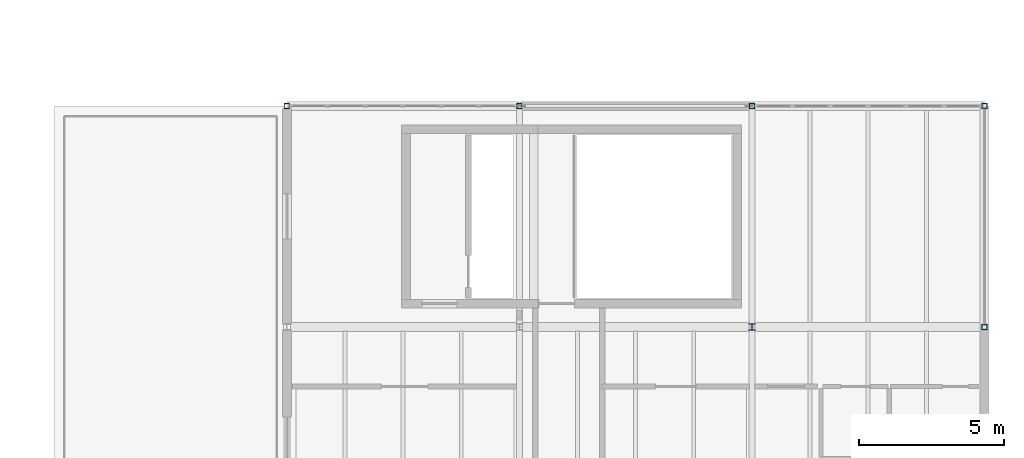
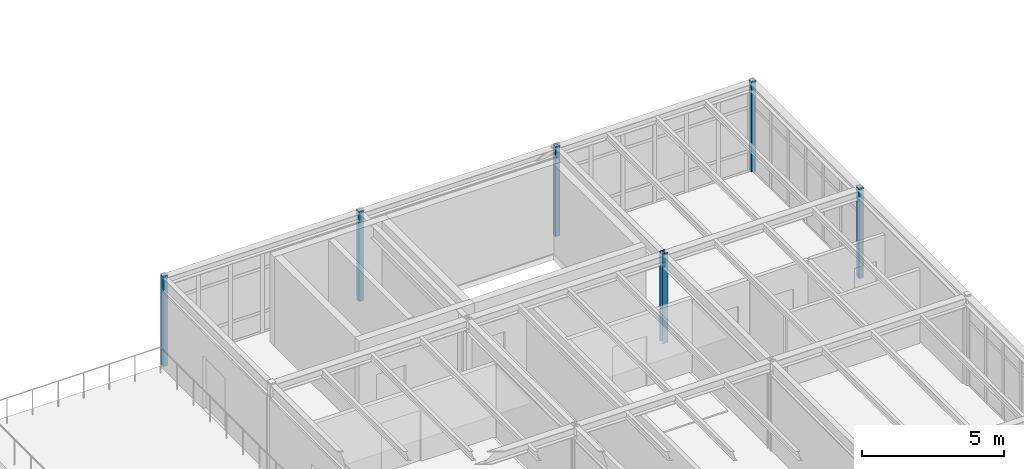
# One storey, part 11 of 65: 6 columns.
"""IFC4 building model written with IfcOpenShell, lengths in metres."""

import ifcopenshell
import ifcopenshell.guid

model = None  # the IFC model being written
_history = None  # IfcOwnerHistory: only IFC2X3 demands one
_inside = {}  # id of a spatial element -> (the spatial element, [elements in it])
_under = {}  # id of a project, library or spatial element -> (it, [spatial elements below it])
_declared = {}  # id of a project -> (the project, [libraries it declares])
_typed = {}  # id of a type object -> (the type object, [elements of that type])
_made_of = {}  # id of a material, layer set ... -> (it, [elements and type objects made of it])


def new_model(schema):
    """Start an empty IFC model of exactly this schema.

    Asked for "IFC4X3", IfcOpenShell would pick the latest addendum, in which some entities
    have other attributes; the version numbers below select the first issue.
    IFC2X3 requires an IfcOwnerHistory on every rooted entity: one is made here for all.
    """
    global model, _history
    if schema == "IFC4X3":
        model = ifcopenshell.file(schema_version=(4, 3, 0, 0))
    else:
        model = ifcopenshell.file(schema=schema)
    _inside.clear()
    _under.clear()
    _declared.clear()
    _typed.clear()
    _made_of.clear()
    _history = None
    if model.schema == "IFC2X3":
        org = make("IfcOrganization", Name="unknown")
        user = make(
            "IfcPersonAndOrganization",
            ThePerson=make("IfcPerson", FamilyName="unknown"),
            TheOrganization=org,
        )
        app = make(
            "IfcApplication",
            ApplicationDeveloper=org,
            Version="unknown",
            ApplicationFullName="unknown",
            ApplicationIdentifier="unknown",
        )
        _history = make(
            "IfcOwnerHistory",
            OwningUser=user,
            OwningApplication=app,
            ChangeAction="ADDED",
            CreationDate=0,
        )
    return model


def make(cls, **values):
    """One entity of the class cls with the attributes given. An attribute that is None is left unset."""
    return model.create_entity(
        cls, **{name: value for name, value in values.items() if value is not None}
    )


def rooted(cls, **values):
    """An entity with a GlobalId (a new one), such as an element, a storey or a relation."""
    return make(cls, GlobalId=ifcopenshell.guid.new(), OwnerHistory=_history, **values)


def si_unit(unit_type, name, prefix=None):
    """IfcSIUnit, for example si_unit("LENGTHUNIT", "METRE", prefix="MILLI")."""
    return make("IfcSIUnit", UnitType=unit_type, Prefix=prefix, Name=name)


def assignment(units):
    """IfcUnitAssignment: the units of a project."""
    return None if units is None else make("IfcUnitAssignment", Units=units)


def point(xyz):
    """IfcCartesianPoint."""
    return None if xyz is None else make("IfcCartesianPoint", Coordinates=xyz)


def direction(xyz):
    """IfcDirection."""
    return None if xyz is None else make("IfcDirection", DirectionRatios=xyz)


def frame(location, z_axis=None, x_axis=None):
    """IfcAxis2Placement3D, a coordinate frame: its origin and axes. An axis left out is left unset."""
    return make(
        "IfcAxis2Placement3D",
        Location=point(location),
        Axis=direction(z_axis),
        RefDirection=direction(x_axis),
    )


def frame_2d(location, x_axis=None):
    """IfcAxis2Placement2D, a coordinate frame in the plane: its origin and x axis."""
    return make(
        "IfcAxis2Placement2D", Location=point(location), RefDirection=direction(x_axis)
    )


def origin():
    """The frame at (0, 0, 0) with its axes left unset."""
    return frame((0.0, 0.0, 0.0))


def origin_2d():
    """The frame at (0, 0) in the plane with its x axis left unset."""
    return frame_2d((0.0, 0.0))


def place(relative_to, where):
    """IfcLocalPlacement: puts the frame where relative to a parent placement (None: the world)."""
    return make(
        "IfcLocalPlacement", PlacementRelTo=relative_to, RelativePlacement=where
    )


def context(
    kind, dimensions, precision=None, world=None, true_north=None, identifier=None
):
    """IfcGeometricRepresentationContext, for example the 3D "Model" context."""
    return make(
        "IfcGeometricRepresentationContext",
        ContextIdentifier=identifier,
        ContextType=kind,
        CoordinateSpaceDimension=dimensions,
        Precision=precision,
        WorldCoordinateSystem=world,
        TrueNorth=true_north,
    )


def subcontext(parent, identifier, kind, view, scale=None):
    """IfcGeometricRepresentationSubContext, for example "Body" below "Model"."""
    return make(
        "IfcGeometricRepresentationSubContext",
        ContextIdentifier=identifier,
        ContextType=kind,
        ParentContext=parent,
        TargetScale=scale,
        TargetView=view,
    )


def project(units=None, contexts=None):
    """IfcProject with its units and contexts."""
    return rooted(
        "IfcProject",
        Name="project",
        RepresentationContexts=contexts,
        UnitsInContext=assignment(units),
    )


def spatial(cls, under=None, at=None, **own):
    """A site, building, storey or space (cls), placed at a placement, below another one or the project."""
    s = rooted(cls, ObjectPlacement=at, **own)
    if under is not None:
        _under.setdefault(under.id(), (under, []))[1].append(s)
    return s


def profile(cls, at=None, kind="AREA", **sizes):
    """A parametric profile (cls). Its sizes go by their IFC names, for example OverallWidth=200.0."""
    return make(cls, ProfileType=kind, Position=at, **sizes)


def hollow_rectangle(**sizes):
    """IfcRectangleHollowProfileDef."""
    return profile("IfcRectangleHollowProfileDef", **sizes)


def i_section(**sizes):
    """IfcIShapeProfileDef."""
    return profile("IfcIShapeProfileDef", **sizes)


def extrude(swept, where, along, depth):
    """IfcExtrudedAreaSolid: the profile swept, set in the frame where, extruded along a direction by depth."""
    return make(
        "IfcExtrudedAreaSolid",
        SweptArea=swept,
        Position=where,
        ExtrudedDirection=direction(along),
        Depth=depth,
    )


def shape(context_of_items, identifier, shape_type, items):
    """IfcShapeRepresentation: the items that make up one representation, for example the "Body"."""
    return make(
        "IfcShapeRepresentation",
        ContextOfItems=context_of_items,
        RepresentationIdentifier=identifier,
        RepresentationType=shape_type,
        Items=items,
    )


def material(Name=None, Category=None):
    """IfcMaterial."""
    return make("IfcMaterial", Name=Name, Category=Category)


def material_profile(
    of_material, cross_section, Name=None, Category=None, Priority=None
):
    """IfcMaterialProfile: a cross section and its material."""
    return make(
        "IfcMaterialProfile",
        Name=Name,
        Material=of_material,
        Profile=cross_section,
        Priority=Priority,
        Category=Category,
    )


def profile_set(profiles, Name=None, composite=None):
    """IfcMaterialProfileSet."""
    return make(
        "IfcMaterialProfileSet",
        Name=Name,
        MaterialProfiles=profiles,
        CompositeProfile=composite,
    )


def made_of(thing, what):
    """Note that an element or type object is made of a material, layer set ...; save() writes the relation."""
    if what is not None:
        _made_of.setdefault(what.id(), (what, []))[1].append(thing)
    return thing


def type_object(cls, material=None, **own):
    """A type object (cls), such as IfcWallType, which elements share."""
    return made_of(rooted(cls, **own), material)


def element(
    cls,
    number,
    at=None,
    inside=None,
    cuts=None,
    type_object=None,
    material=None,
    context=None,
    identifier="Body",
    shape_type=None,
    held_by="IfcProductDefinitionShape",
    body=None,
    shapes=None,
    **own,
):
    """One element of the class cls, such as IfcWall. Its Tag is "e" and its number.

    at: its placement. inside: the storey or other place that contains it. cuts: it is an
    opening in that element (IfcRelVoidsElement). A single representation is given by context,
    identifier, shape_type and body (its items); several are given by shapes. held_by: the class
    of the entity that holds the representations. save() writes the other relations.
    """
    e = rooted(cls, Tag="e%d" % number, ObjectPlacement=at, **own)
    if body is not None:
        shapes = [shape(context, identifier, shape_type, body)]
    if shapes is not None:
        e.Representation = make(held_by, Representations=shapes)
    if inside is not None:
        _inside.setdefault(inside.id(), (inside, []))[1].append(e)
    if cuts is not None:
        rooted(
            "IfcRelVoidsElement", RelatingBuildingElement=cuts, RelatedOpeningElement=e
        )
    if type_object is not None:
        _typed.setdefault(type_object.id(), (type_object, []))[1].append(e)
    return made_of(e, material)


def aggregate(whole, parts):
    """IfcRelAggregates: a whole, such as a stair, and the parts it consists of."""
    return rooted("IfcRelAggregates", RelatingObject=whole, RelatedObjects=parts)


def save(model, path):
    """Write the relations noted so far, then the file.

    IfcRelAggregates (storeys below a building ...), IfcRelContainedInSpatialStructure (elements
    in a storey), IfcRelDefinesByType, IfcRelAssociatesMaterial and IfcRelDeclares: one each for
    every whole, place, type object, material and project.
    """
    for whole, parts in _under.values():
        aggregate(whole, parts)
    for where, things in _inside.values():
        rooted(
            "IfcRelContainedInSpatialStructure",
            RelatedElements=things,
            RelatingStructure=where,
        )
    for kind, things in _typed.values():
        rooted("IfcRelDefinesByType", RelatedObjects=things, RelatingType=kind)
    for what, things in _made_of.values():
        rooted("IfcRelAssociatesMaterial", RelatedObjects=things, RelatingMaterial=what)
    for by, libraries in _declared.values():
        rooted("IfcRelDeclares", RelatingContext=by, RelatedDefinitions=libraries)
    model.write(path)


model = new_model("IFC4")

# Units and contexts
model_context = context("Model", 3, precision=1e-05, world=origin(), true_north=direction((0.0, 1.0)))
body_context = subcontext(model_context, "Body", "Model", "MODEL_VIEW")
ifc_project = project(units=[si_unit("LENGTHUNIT", "METRE"), si_unit("AREAUNIT", "SQUARE_METRE"), si_unit("VOLUMEUNIT", "CUBIC_METRE"), si_unit("PLANEANGLEUNIT", "RADIAN"), si_unit("MASSUNIT", "GRAM", prefix="KILO")], contexts=[model_context])

# Site, building, storey
site_placement = place(None, origin())
site = spatial("IfcSite", under=ifc_project, at=site_placement, CompositionType="ELEMENT")
building_placement = place(site_placement, origin())
building = spatial("IfcBuilding", under=site, at=building_placement, Name="Montecoro Central Library", CompositionType="ELEMENT")
storey_placement = place(building_placement, frame((0.0, 0.0, 17.340087890625)))
storey = spatial("IfcBuildingStorey", under=building, at=storey_placement, Name="L04", CompositionType="ELEMENT", Elevation=17.340087890625)

# Columns
ifc_material = material(Name="Steel S355", Category="steel")
ifc_material_profile_1 = material_profile(ifc_material, i_section(OverallWidth=0.219970703125, OverallDepth=0.219970703125, WebThickness=0.009521484375, FlangeThickness=0.01611328125, at=origin_2d()), Name="HEB 220")
ifc_profile_set_1 = profile_set([ifc_material_profile_1], Name="Steel S355")
column_type_1 = type_object("IfcColumnType", Name="COL-HEB220", PredefinedType="COLUMN", material=ifc_profile_set_1)
column_placement = place(storey_placement, frame((165.0, 35.39990234375, 0.0), z_axis=(0.0, 0.0, 1.0), x_axis=(1.0, 0.0, 0.0)))
element("IfcColumn", 1, at=column_placement, inside=storey, type_object=column_type_1, Name="V6-L04-COL-21-E", PredefinedType="COLUMN", context=body_context, shape_type="SweptSolid", body=[
    extrude(i_section(OverallWidth=0.219970703125, OverallDepth=0.219970703125, WebThickness=0.009521484375, FlangeThickness=0.01611328125, at=origin_2d()), origin(), (0.0, 0.0, 1.0), 3.889892578125),
])
ifc_material_profile_2 = material_profile(ifc_material, hollow_rectangle(XDim=0.179931640625, YDim=0.179931640625, WallThickness=0.010009765625, at=origin_2d()), Name="SHS 180x180x10.0")
ifc_profile_set_2 = profile_set([ifc_material_profile_2], Name="Steel S355")
column_type_2 = type_object("IfcColumnType", Name="COL-SHS180", PredefinedType="COLUMN", material=ifc_profile_set_2)
for number, where, z_axis, x_axis, name in (
    (2, (149.0, 43.0, 0.0), (0.0, 0.0, 1.0), (1.0, 0.0, 0.0), "V6-L04-COL-19-F"),
    (3, (157.0, 43.0, 0.0), (0.0, 0.0, 1.0), (1.0, 0.0, 0.0), "V6-L04-COL-20-F"),
    (4, (165.0, 43.0, 0.0), (0.0, 0.0, 1.0), (1.0, 0.0, 0.0), "V6-L04-COL-21-F"),
    (5, (173.0, 35.39990234375, 0.0), (0.0, 0.0, 1.0), (1.0, 0.0, 0.0), "V6-L04-COL-22-E"),
    (6, (173.0, 43.0, 0.0), (0.0, 0.0, 1.0), (1.0, 0.0, 0.0), "V6-L04-COL-22-F"),
):
    element("IfcColumn", number, at=place(storey_placement, frame(where, z_axis=z_axis, x_axis=x_axis)), inside=storey, type_object=column_type_2, Name=name, PredefinedType="COLUMN", context=body_context, shape_type="SweptSolid", body=[
        extrude(hollow_rectangle(XDim=0.179931640625, YDim=0.179931640625, WallThickness=0.010009765625, at=origin_2d()), origin(), (0.0, 0.0, 1.0), 3.889892578125),
    ])

save(model, "model.ifc")
